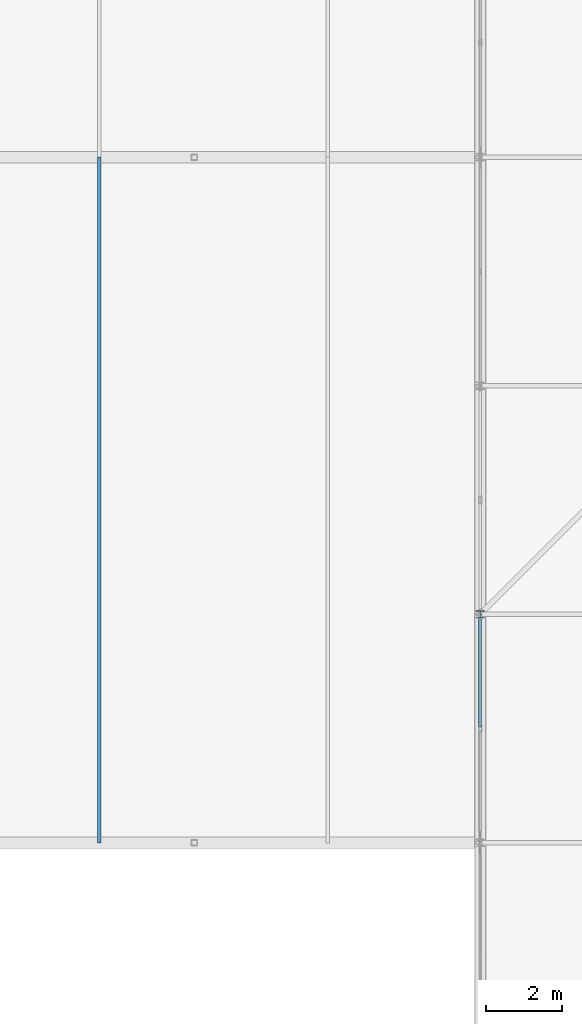
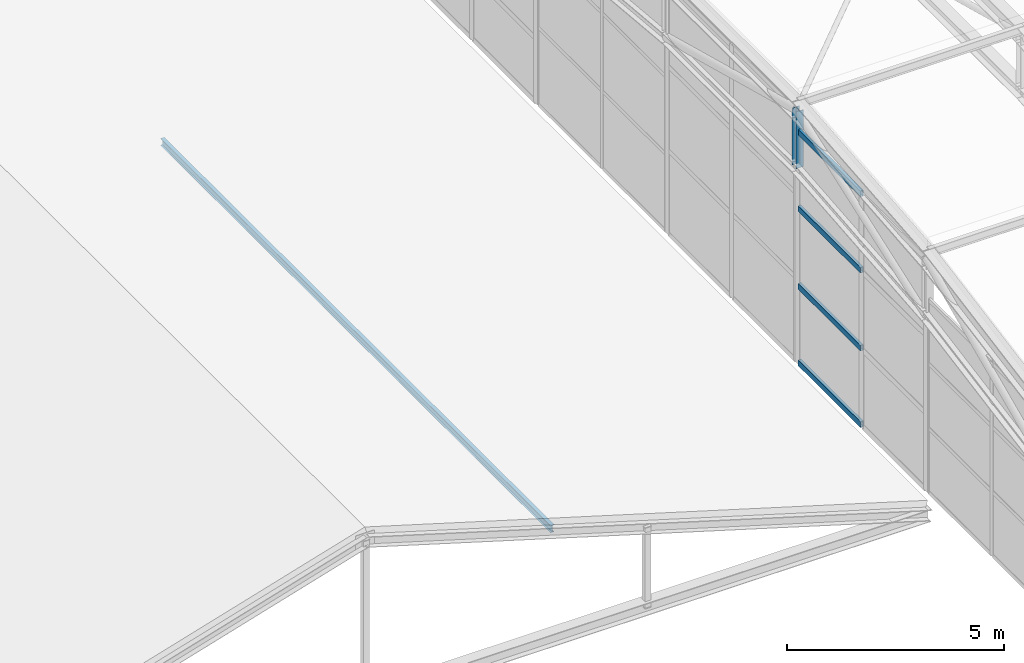
# One storey, part 23 of 204: 6 members, 1 element without a shape of its own.
"""IFC4 building model written with IfcOpenShell, lengths in metres."""

from ifc_helpers import new_model, si_unit, direction, frame, origin, origin_2d, place, context, subcontext, project, spatial, hollow_rectangle, i_section, extrude, material, layer, layer_set, material_profile, profile_set, type_object, element, aggregate, save


model = new_model("IFC4")

# Units and contexts
model_context = context("Model", 3, precision=1e-05, world=origin(), true_north=direction((0.0, 1.0)))
body_context = subcontext(model_context, "Body", "Model", "MODEL_VIEW")
ifc_project = project(units=[si_unit("LENGTHUNIT", "METRE"), si_unit("AREAUNIT", "SQUARE_METRE"), si_unit("VOLUMEUNIT", "CUBIC_METRE"), si_unit("PLANEANGLEUNIT", "RADIAN"), si_unit("MASSUNIT", "GRAM", prefix="KILO")], contexts=[model_context])

# Site, building, storey
site_placement = place(None, origin())
site = spatial("IfcSite", under=ifc_project, at=site_placement, CompositionType="ELEMENT")
building_placement = place(site_placement, origin())
building = spatial("IfcBuilding", under=site, at=building_placement, Name="Zilviju Railside Exhibition Hall", CompositionType="ELEMENT")
storey_placement = place(building_placement, frame((0.0, 0.0, 21.0)))
storey = spatial("IfcBuildingStorey", under=building, at=storey_placement, Name="RF", CompositionType="ELEMENT", Elevation=21.0)

# Curtain wall, members
ifc_material_1 = material(Name="Thermally broken aluminium-steel triple-glazed curtain wall", Category="steel")
ifc_layer = layer(ifc_material_1, 0.179931640625)
ifc_layer_set = layer_set([ifc_layer], Name="Thermally broken aluminium-steel triple-glazed curtain wall")
curtain_wall_type = type_object("IfcCurtainWallType", Name="CW-BAY-12", PredefinedType="USERDEFINED", material=ifc_layer_set)
curtain_wall_placement = place(storey_placement, origin())
curtain_wall = element("IfcCurtainWall", 1, at=curtain_wall_placement, inside=storey, type_object=curtain_wall_type, Name="South Hall Arch Tympanum Glazing West P4", ObjectType="GLAZED CURTAIN WALL", PredefinedType="USERDEFINED")
ifc_material_2 = material(Name="Thermally broken anodized aluminium transom", Category="aluminium")
ifc_material_profile_1 = material_profile(ifc_material_2, hollow_rectangle(XDim=0.080078125, YDim=0.159912109375, WallThickness=0.0048828125, at=origin_2d()), Name="TRANSOM 160x80x5")
ifc_profile_set_1 = profile_set([ifc_material_profile_1], Name="Thermally broken anodized aluminium transom")
member_type_1 = type_object("IfcMemberType", Name="CWT-80x160", PredefinedType="USERDEFINED", material=ifc_profile_set_1)
member_1_placement = place(storey_placement, frame((78.0, 21.0400390625, -7.760009765625), z_axis=(0.0, 1.0, 0.0), x_axis=(-1.0, 0.0, 0.0)))
member_1 = element("IfcMember", 2, at=member_1_placement, type_object=member_type_1, Name="CW-12 transom 2.1", ObjectType="TRANSOM", PredefinedType="USERDEFINED", context=body_context, shape_type="SweptSolid", body=[
    extrude(hollow_rectangle(XDim=0.080078125, YDim=0.159912109375, WallThickness=0.0048828125, at=origin_2d()), origin(), (0.0, 0.0, 1.0), 2.8798828125),
])
member_2_placement = place(storey_placement, frame((78.0, 21.0400390625, -5.60693359375), z_axis=(0.0, 1.0, 0.0), x_axis=(-1.0, 0.0, 0.0)))
member_2 = element("IfcMember", 3, at=member_2_placement, type_object=member_type_1, Name="CW-12 transom 2.2", ObjectType="TRANSOM", PredefinedType="USERDEFINED", context=body_context, shape_type="SweptSolid", body=[
    extrude(hollow_rectangle(XDim=0.080078125, YDim=0.159912109375, WallThickness=0.0048828125, at=origin_2d()), origin(), (0.0, 0.0, 1.0), 2.8798828125),
])
member_3_placement = place(storey_placement, frame((78.0, 21.0400390625, -3.4150390625), z_axis=(0.0, 1.0, 0.0), x_axis=(-1.0, 0.0, 0.0)))
member_3 = element("IfcMember", 4, at=member_3_placement, type_object=member_type_1, Name="CW-12 transom 2.3", ObjectType="TRANSOM", PredefinedType="USERDEFINED", context=body_context, shape_type="SweptSolid", body=[
    extrude(hollow_rectangle(XDim=0.080078125, YDim=0.159912109375, WallThickness=0.0048828125, at=origin_2d()), origin(), (0.0, 0.0, 1.0), 2.8798828125),
])
member_4_placement = place(storey_placement, frame((78.0, 21.0400390625, -1.261962890625), z_axis=(0.0, 1.0, 0.0), x_axis=(-1.0, 0.0, 0.0)))
member_4 = element("IfcMember", 5, at=member_4_placement, type_object=member_type_1, Name="CW-12 transom 2.4", ObjectType="TRANSOM", PredefinedType="USERDEFINED", context=body_context, shape_type="SweptSolid", body=[
    extrude(hollow_rectangle(XDim=0.080078125, YDim=0.159912109375, WallThickness=0.0048828125, at=origin_2d()), origin(), (0.0, 0.0, 1.0), 2.8798828125),
])
aggregate(curtain_wall, [member_1, member_2, member_3, member_4])

# Members
ifc_material_3 = material(Name="Steel S355ML", Category="steel")
ifc_material_profile_2 = material_profile(ifc_material_3, i_section(OverallWidth=0.199951171875, OverallDepth=0.18994140625, WebThickness=0.006591796875, FlangeThickness=0.010009765625, at=origin_2d()), Name="HEA 200")
ifc_profile_set_2 = profile_set([ifc_material_profile_2], Name="Steel S355ML")
member_type_2 = type_object("IfcMemberType", Name="TR-POST-HEA200", PredefinedType="POST", material=ifc_profile_set_2)
member_5_placement = place(storey_placement, frame((78.0, 24.0, -2.26904296875), z_axis=(0.0, 0.0, 1.0), x_axis=(1.0, 0.0, 0.0)))
element("IfcMember", 6, at=member_5_placement, inside=storey, type_object=member_type_2, Name="V1 Parabolic Arch Web Post X=78.0 N4", PredefinedType="POST", context=body_context, shape_type="SweptSolid", body=[
    extrude(i_section(OverallWidth=0.199951171875, OverallDepth=0.18994140625, WebThickness=0.006591796875, FlangeThickness=0.010009765625, at=origin_2d()), origin(), (0.0, 0.0, 1.0), 1.599853515625),
])
ifc_material_4 = material(Name="Steel S355J2", Category="steel")
ifc_material_profile_3 = material_profile(ifc_material_4, i_section(OverallWidth=0.10009765625, OverallDepth=0.199951171875, WebThickness=0.005615234375, FlangeThickness=0.008544921875, at=origin_2d()), Name="IPE 200")
ifc_profile_set_3 = profile_set([ifc_material_profile_3], Name="Steel S355J2")
member_type_3 = type_object("IfcMemberType", Name="TR-PUR-IPE200", PredefinedType="PURLIN", material=ifc_profile_set_3)
member_6_placement = place(storey_placement, frame((68.0, 18.0, -5.360107421875), z_axis=(0.0, 1.0, 0.0), x_axis=(-1.0, 0.0, 0.0)))
element("IfcMember", 7, at=member_6_placement, inside=storey, type_object=member_type_3, Name="Concourse Lantern Purlin X=68.0", PredefinedType="PURLIN", context=body_context, shape_type="SweptSolid", body=[
    extrude(i_section(OverallWidth=0.10009765625, OverallDepth=0.199951171875, WebThickness=0.005615234375, FlangeThickness=0.008544921875, at=origin_2d()), origin(), (0.0, 0.0, 1.0), 18.0),
])

save(model, "model.ifc")
